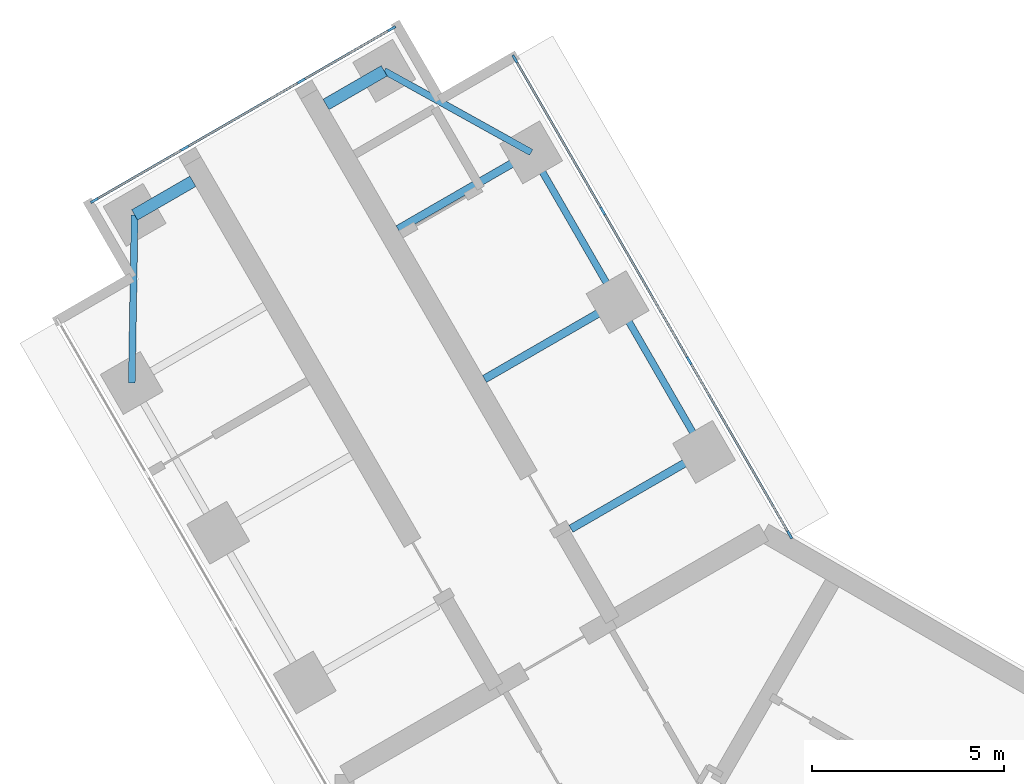
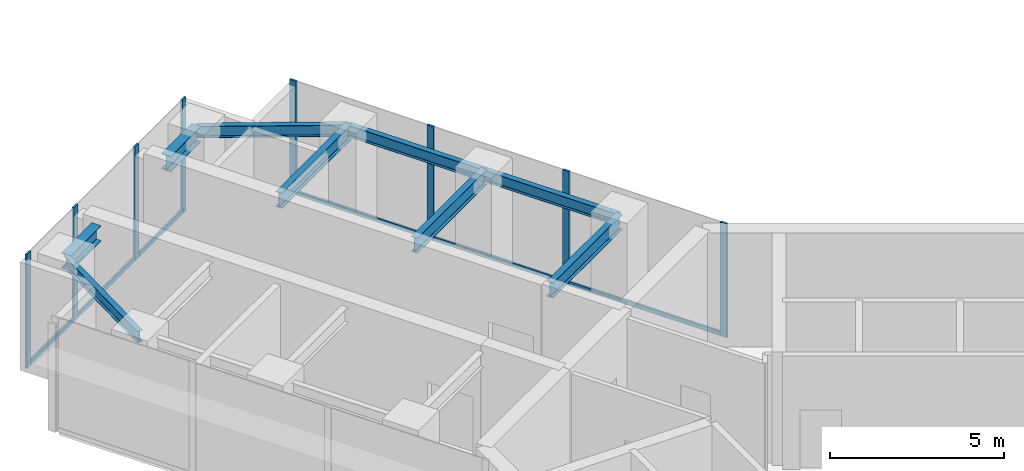
# One storey, part 6 of 17: 14 members, 9 beams, 2 elements without a shape of their own.
"""IFC4 building model written with IfcOpenShell, lengths in metres."""

import ifcopenshell
import ifcopenshell.guid

model = None  # the IFC model being written
_history = None  # IfcOwnerHistory: only IFC2X3 demands one
_inside = {}  # id of a spatial element -> (the spatial element, [elements in it])
_under = {}  # id of a project, library or spatial element -> (it, [spatial elements below it])
_declared = {}  # id of a project -> (the project, [libraries it declares])
_typed = {}  # id of a type object -> (the type object, [elements of that type])
_made_of = {}  # id of a material, layer set ... -> (it, [elements and type objects made of it])


def new_model(schema):
    """Start an empty IFC model of exactly this schema.

    Asked for "IFC4X3", IfcOpenShell would pick the latest addendum, in which some entities
    have other attributes; the version numbers below select the first issue.
    IFC2X3 requires an IfcOwnerHistory on every rooted entity: one is made here for all.
    """
    global model, _history
    if schema == "IFC4X3":
        model = ifcopenshell.file(schema_version=(4, 3, 0, 0))
    else:
        model = ifcopenshell.file(schema=schema)
    _inside.clear()
    _under.clear()
    _declared.clear()
    _typed.clear()
    _made_of.clear()
    _history = None
    if model.schema == "IFC2X3":
        org = make("IfcOrganization", Name="unknown")
        user = make(
            "IfcPersonAndOrganization",
            ThePerson=make("IfcPerson", FamilyName="unknown"),
            TheOrganization=org,
        )
        app = make(
            "IfcApplication",
            ApplicationDeveloper=org,
            Version="unknown",
            ApplicationFullName="unknown",
            ApplicationIdentifier="unknown",
        )
        _history = make(
            "IfcOwnerHistory",
            OwningUser=user,
            OwningApplication=app,
            ChangeAction="ADDED",
            CreationDate=0,
        )
    return model


def make(cls, **values):
    """One entity of the class cls with the attributes given. An attribute that is None is left unset."""
    return model.create_entity(
        cls, **{name: value for name, value in values.items() if value is not None}
    )


def rooted(cls, **values):
    """An entity with a GlobalId (a new one), such as an element, a storey or a relation."""
    return make(cls, GlobalId=ifcopenshell.guid.new(), OwnerHistory=_history, **values)


def si_unit(unit_type, name, prefix=None):
    """IfcSIUnit, for example si_unit("LENGTHUNIT", "METRE", prefix="MILLI")."""
    return make("IfcSIUnit", UnitType=unit_type, Prefix=prefix, Name=name)


def assignment(units):
    """IfcUnitAssignment: the units of a project."""
    return None if units is None else make("IfcUnitAssignment", Units=units)


def point(xyz):
    """IfcCartesianPoint."""
    return None if xyz is None else make("IfcCartesianPoint", Coordinates=xyz)


def direction(xyz):
    """IfcDirection."""
    return None if xyz is None else make("IfcDirection", DirectionRatios=xyz)


def frame(location, z_axis=None, x_axis=None):
    """IfcAxis2Placement3D, a coordinate frame: its origin and axes. An axis left out is left unset."""
    return make(
        "IfcAxis2Placement3D",
        Location=point(location),
        Axis=direction(z_axis),
        RefDirection=direction(x_axis),
    )


def frame_2d(location, x_axis=None):
    """IfcAxis2Placement2D, a coordinate frame in the plane: its origin and x axis."""
    return make(
        "IfcAxis2Placement2D", Location=point(location), RefDirection=direction(x_axis)
    )


def origin():
    """The frame at (0, 0, 0) with its axes left unset."""
    return frame((0.0, 0.0, 0.0))


def origin_2d():
    """The frame at (0, 0) in the plane with its x axis left unset."""
    return frame_2d((0.0, 0.0))


def place(relative_to, where):
    """IfcLocalPlacement: puts the frame where relative to a parent placement (None: the world)."""
    return make(
        "IfcLocalPlacement", PlacementRelTo=relative_to, RelativePlacement=where
    )


def context(
    kind, dimensions, precision=None, world=None, true_north=None, identifier=None
):
    """IfcGeometricRepresentationContext, for example the 3D "Model" context."""
    return make(
        "IfcGeometricRepresentationContext",
        ContextIdentifier=identifier,
        ContextType=kind,
        CoordinateSpaceDimension=dimensions,
        Precision=precision,
        WorldCoordinateSystem=world,
        TrueNorth=true_north,
    )


def subcontext(parent, identifier, kind, view, scale=None):
    """IfcGeometricRepresentationSubContext, for example "Body" below "Model"."""
    return make(
        "IfcGeometricRepresentationSubContext",
        ContextIdentifier=identifier,
        ContextType=kind,
        ParentContext=parent,
        TargetScale=scale,
        TargetView=view,
    )


def project(units=None, contexts=None):
    """IfcProject with its units and contexts."""
    return rooted(
        "IfcProject",
        Name="project",
        RepresentationContexts=contexts,
        UnitsInContext=assignment(units),
    )


def spatial(cls, under=None, at=None, **own):
    """A site, building, storey or space (cls), placed at a placement, below another one or the project."""
    s = rooted(cls, ObjectPlacement=at, **own)
    if under is not None:
        _under.setdefault(under.id(), (under, []))[1].append(s)
    return s


def profile(cls, at=None, kind="AREA", **sizes):
    """A parametric profile (cls). Its sizes go by their IFC names, for example OverallWidth=200.0."""
    return make(cls, ProfileType=kind, Position=at, **sizes)


def rectangle(**sizes):
    """IfcRectangleProfileDef."""
    return profile("IfcRectangleProfileDef", **sizes)


def i_section(**sizes):
    """IfcIShapeProfileDef."""
    return profile("IfcIShapeProfileDef", **sizes)


def extrude(swept, where, along, depth):
    """IfcExtrudedAreaSolid: the profile swept, set in the frame where, extruded along a direction by depth."""
    return make(
        "IfcExtrudedAreaSolid",
        SweptArea=swept,
        Position=where,
        ExtrudedDirection=direction(along),
        Depth=depth,
    )


def shape(context_of_items, identifier, shape_type, items):
    """IfcShapeRepresentation: the items that make up one representation, for example the "Body"."""
    return make(
        "IfcShapeRepresentation",
        ContextOfItems=context_of_items,
        RepresentationIdentifier=identifier,
        RepresentationType=shape_type,
        Items=items,
    )


def material(Name=None, Category=None):
    """IfcMaterial."""
    return make("IfcMaterial", Name=Name, Category=Category)


def material_profile(
    of_material, cross_section, Name=None, Category=None, Priority=None
):
    """IfcMaterialProfile: a cross section and its material."""
    return make(
        "IfcMaterialProfile",
        Name=Name,
        Material=of_material,
        Profile=cross_section,
        Priority=Priority,
        Category=Category,
    )


def profile_set(profiles, Name=None, composite=None):
    """IfcMaterialProfileSet."""
    return make(
        "IfcMaterialProfileSet",
        Name=Name,
        MaterialProfiles=profiles,
        CompositeProfile=composite,
    )


def made_of(thing, what):
    """Note that an element or type object is made of a material, layer set ...; save() writes the relation."""
    if what is not None:
        _made_of.setdefault(what.id(), (what, []))[1].append(thing)
    return thing


def type_object(cls, material=None, **own):
    """A type object (cls), such as IfcWallType, which elements share."""
    return made_of(rooted(cls, **own), material)


def element(
    cls,
    number,
    at=None,
    inside=None,
    cuts=None,
    type_object=None,
    material=None,
    context=None,
    identifier="Body",
    shape_type=None,
    held_by="IfcProductDefinitionShape",
    body=None,
    shapes=None,
    **own,
):
    """One element of the class cls, such as IfcWall. Its Tag is "e" and its number.

    at: its placement. inside: the storey or other place that contains it. cuts: it is an
    opening in that element (IfcRelVoidsElement). A single representation is given by context,
    identifier, shape_type and body (its items); several are given by shapes. held_by: the class
    of the entity that holds the representations. save() writes the other relations.
    """
    e = rooted(cls, Tag="e%d" % number, ObjectPlacement=at, **own)
    if body is not None:
        shapes = [shape(context, identifier, shape_type, body)]
    if shapes is not None:
        e.Representation = make(held_by, Representations=shapes)
    if inside is not None:
        _inside.setdefault(inside.id(), (inside, []))[1].append(e)
    if cuts is not None:
        rooted(
            "IfcRelVoidsElement", RelatingBuildingElement=cuts, RelatedOpeningElement=e
        )
    if type_object is not None:
        _typed.setdefault(type_object.id(), (type_object, []))[1].append(e)
    return made_of(e, material)


def aggregate(whole, parts):
    """IfcRelAggregates: a whole, such as a stair, and the parts it consists of."""
    return rooted("IfcRelAggregates", RelatingObject=whole, RelatedObjects=parts)


def save(model, path):
    """Write the relations noted so far, then the file.

    IfcRelAggregates (storeys below a building ...), IfcRelContainedInSpatialStructure (elements
    in a storey), IfcRelDefinesByType, IfcRelAssociatesMaterial and IfcRelDeclares: one each for
    every whole, place, type object, material and project.
    """
    for whole, parts in _under.values():
        aggregate(whole, parts)
    for where, things in _inside.values():
        rooted(
            "IfcRelContainedInSpatialStructure",
            RelatedElements=things,
            RelatingStructure=where,
        )
    for kind, things in _typed.values():
        rooted("IfcRelDefinesByType", RelatedObjects=things, RelatingType=kind)
    for what, things in _made_of.values():
        rooted("IfcRelAssociatesMaterial", RelatedObjects=things, RelatingMaterial=what)
    for by, libraries in _declared.values():
        rooted("IfcRelDeclares", RelatingContext=by, RelatedDefinitions=libraries)
    model.write(path)


model = new_model("IFC4")

# Units and contexts
model_context = context("Model", 3, precision=1e-05, world=origin(), true_north=direction((0.0, 1.0)))
body_context = subcontext(model_context, "Body", "Model", "MODEL_VIEW")
ifc_project = project(units=[si_unit("LENGTHUNIT", "METRE"), si_unit("AREAUNIT", "SQUARE_METRE"), si_unit("VOLUMEUNIT", "CUBIC_METRE"), si_unit("PLANEANGLEUNIT", "RADIAN"), si_unit("MASSUNIT", "GRAM", prefix="KILO")], contexts=[model_context])

# Site, building, storey
site_placement = place(None, origin())
site = spatial("IfcSite", under=ifc_project, at=site_placement, CompositionType="ELEMENT")
building_placement = place(site_placement, origin())
building = spatial("IfcBuilding", under=site, at=building_placement, Name="Upepo Twin Towers", CompositionType="ELEMENT")
storey_placement = place(building_placement, frame((0.0, 0.0, 182.5)))
storey = spatial("IfcBuildingStorey", under=building, at=storey_placement, Name="L44", CompositionType="ELEMENT", Elevation=182.5)

# Beams
ifc_material_1 = material(Name="Steel S355", Category="steel")
ifc_material_profile_1 = material_profile(ifc_material_1, i_section(OverallWidth=0.177978515625, OverallDepth=0.406494140625, WebThickness=0.0078125, FlangeThickness=0.0126953125, FilletRadius=0.01025390625, at=origin_2d()), Name="UB 406x178x60")
ifc_profile_set_1 = profile_set([ifc_material_profile_1], Name="Steel S355")
beam_type_1 = type_object("IfcBeamType", Name="Beam UB 406x178x60", PredefinedType="BEAM", material=ifc_profile_set_1)
beam_1_placement = place(storey_placement, frame((-16.446044921875, 16.485595703125, 3.5966796875), z_axis=(0.016803880528, 0.999858804832, 0.0), x_axis=(-0.999858804832, 0.016803880528, 0.0)))
element("IfcBeam", 1, at=beam_1_placement, inside=storey, type_object=beam_type_1, Name="T1 nose edge beam BL", PredefinedType="BEAM", context=body_context, shape_type="SweptSolid", body=[
    extrude(i_section(OverallWidth=0.177978515625, OverallDepth=0.406494140625, WebThickness=0.0078125, FlangeThickness=0.0126953125, FilletRadius=0.01025390625, at=origin_2d()), origin(), (0.0, 0.0, 1.0), 4.373291015625),
])
beam_2_placement = place(storey_placement, frame((-1.553955078125, 14.69140625, 3.5966796875), z_axis=(-0.500013631625, 0.866017533419, 0.0), x_axis=(-0.866017533419, -0.500013631625, 0.0)))
element("IfcBeam", 2, at=beam_2_placement, inside=storey, type_object=beam_type_1, Name="T1 edge beam BR 13.5-18.0", PredefinedType="BEAM", context=body_context, shape_type="SweptSolid", body=[
    extrude(i_section(OverallWidth=0.177978515625, OverallDepth=0.406494140625, WebThickness=0.0078125, FlangeThickness=0.0126953125, FilletRadius=0.01025390625, at=origin_2d()), origin(), (0.0, 0.0, 1.0), 4.499755859375),
])
beam_3_placement = place(storey_placement, frame((-3.803955078125, 18.58837890625, 3.5966796875), z_axis=(-0.499990139034, 0.866031096941, 0.0), x_axis=(-0.866031096941, -0.499990139034, 0.0)))
element("IfcBeam", 3, at=beam_3_placement, inside=storey, type_object=beam_type_1, Name="T1 edge beam BR 18.0-22.5", PredefinedType="BEAM", context=body_context, shape_type="SweptSolid", body=[
    extrude(i_section(OverallWidth=0.177978515625, OverallDepth=0.406494140625, WebThickness=0.0078125, FlangeThickness=0.0126953125, FilletRadius=0.01025390625, at=origin_2d()), origin(), (0.0, 0.0, 1.0), 4.5),
])
beam_4_placement = place(storey_placement, frame((-6.053955078125, 22.485595703125, 3.5966796875), z_axis=(-0.874312600038, 0.485363242752, 0.0), x_axis=(-0.485363242752, -0.874312600038, 0.0)))
element("IfcBeam", 4, at=beam_4_placement, inside=storey, type_object=beam_type_1, Name="T1 nose edge beam BR", PredefinedType="BEAM", context=body_context, shape_type="SweptSolid", body=[
    extrude(i_section(OverallWidth=0.177978515625, OverallDepth=0.406494140625, WebThickness=0.0078125, FlangeThickness=0.0126953125, FilletRadius=0.01025390625, at=origin_2d()), origin(), (0.0, 0.0, 1.0), 4.373046875),
])
ifc_material_2 = material(Name="Steel S355", Category="steel")
ifc_material_profile_2 = material_profile(ifc_material_2, i_section(OverallWidth=0.209228515625, OverallDepth=0.533203125, WebThickness=0.010009765625, FlangeThickness=0.015625, FilletRadius=0.0126953125, at=origin_2d()), Name="UB 533x210x92")
ifc_profile_set_2 = profile_set([ifc_material_profile_2], Name="Steel S355")
beam_type_2 = type_object("IfcBeamType", Name="Beam UB 533x210x92", PredefinedType="BEAM", material=ifc_profile_set_2)
for number, where, z_axis, x_axis, name in (
    (5, (-1.553955078125, 14.69140625, 3.533447265625), (-0.866026010844, -0.49999894854, 0.0), (0.49999894854, -0.866026010844, 0.0), "T1 girder BR at 13.5"),
    (6, (-3.803955078125, 18.58837890625, 3.533447265625), (-0.866026010844, -0.49999894854, 0.0), (0.49999894854, -0.866026010844, 0.0), "T1 girder BR at 18.0"),
    (7, (-6.053955078125, 22.485595703125, 3.533447265625), (-0.866026010844, -0.49999894854, 0.0), (0.49999894854, -0.866026010844, 0.0), "T1 girder BR at 22.5"),
):
    element("IfcBeam", number, at=place(storey_placement, frame(where, z_axis=z_axis, x_axis=x_axis)), inside=storey, type_object=beam_type_2, Name=name, PredefinedType="BEAM", context=body_context, shape_type="SweptSolid", body=[
        extrude(i_section(OverallWidth=0.209228515625, OverallDepth=0.533203125, WebThickness=0.010009765625, FlangeThickness=0.015625, FilletRadius=0.0126953125, at=origin_2d()), origin(), (0.0, 0.0, 1.0), 4.0),
    ])
ifc_material_3 = material(Name="Steel S355", Category="steel")
ifc_material_profile_3 = material_profile(ifc_material_3, i_section(OverallWidth=0.31201171875, OverallDepth=0.54345703125, WebThickness=0.0126953125, FlangeThickness=0.020263671875, FilletRadius=0.0126953125, at=origin_2d()), Name="UB 533x312x150")
ifc_profile_set_3 = profile_set([ifc_material_profile_3], Name="Steel S355")
beam_type_3 = type_object("IfcBeamType", Name="Beam UB 533x312x150", PredefinedType="BEAM", material=ifc_profile_set_3)
for number, where, z_axis, x_axis, name in (
    (8, (-16.37255859375, 20.858154296875, 3.5283203125), (0.866036909293, 0.499980071345, 0.0), (-0.499980071345, 0.866036909293, 0.0), "T1 nose beam BL"),
    (9, (-9.87744140625, 24.608154296875, 3.5283203125), (-0.866036909293, -0.499980071345, 0.0), (0.499980071345, -0.866036909293, 0.0), "T1 nose beam BR"),
):
    element("IfcBeam", number, at=place(storey_placement, frame(where, z_axis=z_axis, x_axis=x_axis)), inside=storey, type_object=beam_type_3, Name=name, PredefinedType="BEAM", context=body_context, shape_type="SweptSolid", body=[
        extrude(i_section(OverallWidth=0.31201171875, OverallDepth=0.54345703125, WebThickness=0.0126953125, FlangeThickness=0.020263671875, FilletRadius=0.0126953125, at=origin_2d()), origin(), (0.0, 0.0, 1.0), 1.75),
    ])

# Curtain wall, members
ifc_material_4 = material(Name="Aluminium and fritted glass", Category="aluminium")
curtain_wall_type = type_object("IfcCurtainWallType", Name="Tower curtain wall TW3, fritted glass", PredefinedType="NOTDEFINED", material=ifc_material_4)
curtain_wall_1_placement = place(storey_placement, origin())
curtain_wall_1 = element("IfcCurtainWall", 10, at=curtain_wall_1_placement, inside=storey, type_object=curtain_wall_type, Name="T1 L44 wing B flank R curtain wall", PredefinedType="NOTDEFINED")
ifc_material_5 = material(Name="Aluminium mullion", Category="aluminium")
ifc_material_profile_4 = material_profile(ifc_material_5, rectangle(XDim=0.06494140625, YDim=0.22509765625, at=origin_2d()), Name="MULLION 65x225")
ifc_profile_set_4 = profile_set([ifc_material_profile_4], Name="Aluminium mullion")
member_type_1 = type_object("IfcMemberType", Name="Mullion 65x225 TW3", PredefinedType="MULLION", material=ifc_profile_set_4)
member_1_placement = place(storey_placement, frame((-6.4765625, 24.91748046875, 0.0), z_axis=(0.0, 0.0, 1.0), x_axis=(0.866025388469, 0.500000026527, 0.0)))
member_1 = element("IfcMember", 11, at=member_1_placement, type_object=member_type_1, Name="T1 L44 wing B flank R curtain wall mullion 1", PredefinedType="MULLION", context=body_context, shape_type="SweptSolid", body=[
    extrude(rectangle(XDim=0.06494140625, YDim=0.22509765625, at=origin_2d()), origin(), (0.0, 0.0, 1.0), 4.0),
])
member_2_placement = place(storey_placement, frame((-4.192626953125, 20.9619140625, 0.0), z_axis=(0.0, 0.0, 1.0), x_axis=(0.866025388469, 0.500000026527, 0.0)))
member_2 = element("IfcMember", 12, at=member_2_placement, type_object=member_type_1, Name="T1 L44 wing B flank R curtain wall mullion 2", PredefinedType="MULLION", context=body_context, shape_type="SweptSolid", body=[
    extrude(rectangle(XDim=0.06494140625, YDim=0.22509765625, at=origin_2d()), origin(), (0.0, 0.0, 1.0), 4.0),
])
member_3_placement = place(storey_placement, frame((-1.942626953125, 17.06494140625, 0.0), z_axis=(0.0, 0.0, 1.0), x_axis=(0.866025388469, 0.500000026527, 0.0)))
member_3 = element("IfcMember", 13, at=member_3_placement, type_object=member_type_1, Name="T1 L44 wing B flank R curtain wall mullion 3", PredefinedType="MULLION", context=body_context, shape_type="SweptSolid", body=[
    extrude(rectangle(XDim=0.06494140625, YDim=0.22509765625, at=origin_2d()), origin(), (0.0, 0.0, 1.0), 4.0),
])
member_4_placement = place(storey_placement, frame((0.67236328125, 12.53515625, 0.0), z_axis=(0.0, 0.0, 1.0), x_axis=(0.866025388469, 0.500000026527, 0.0)))
member_4 = element("IfcMember", 14, at=member_4_placement, type_object=member_type_1, Name="T1 L44 wing B flank R curtain wall mullion 4", PredefinedType="MULLION", context=body_context, shape_type="SweptSolid", body=[
    extrude(rectangle(XDim=0.06494140625, YDim=0.22509765625, at=origin_2d()), origin(), (0.0, 0.0, 1.0), 4.0),
])

curtain_wall_2_placement = place(storey_placement, origin())
curtain_wall_2 = element("IfcCurtainWall", 15, at=curtain_wall_2_placement, inside=storey, type_object=curtain_wall_type, Name="T1 L44 wing B nose curtain wall", PredefinedType="NOTDEFINED")
member_5_placement = place(storey_placement, frame((-9.68115234375, 25.703125, 0.0), z_axis=(0.0, 0.0, 1.0), x_axis=(0.500000030502, -0.866025386174, 0.0)))
member_5 = element("IfcMember", 16, at=member_5_placement, type_object=member_type_1, Name="T1 L44 wing B nose curtain wall mullion 1", PredefinedType="MULLION", context=body_context, shape_type="SweptSolid", body=[
    extrude(rectangle(XDim=0.06494140625, YDim=0.22509765625, at=origin_2d()), origin(), (0.0, 0.0, 1.0), 4.0),
])
member_6_placement = place(storey_placement, frame((-12.034423828125, 24.34423828125, 0.0), z_axis=(0.0, 0.0, 1.0), x_axis=(0.500000030502, -0.866025386174, 0.0)))
member_6 = element("IfcMember", 17, at=member_6_placement, type_object=member_type_1, Name="T1 L44 wing B nose curtain wall mullion 2", PredefinedType="MULLION", context=body_context, shape_type="SweptSolid", body=[
    extrude(rectangle(XDim=0.06494140625, YDim=0.22509765625, at=origin_2d()), origin(), (0.0, 0.0, 1.0), 4.0),
])
member_7_placement = place(storey_placement, frame((-15.0654296875, 22.59423828125, 0.0), z_axis=(0.0, 0.0, 1.0), x_axis=(0.500000030502, -0.866025386174, 0.0)))
member_7 = element("IfcMember", 18, at=member_7_placement, type_object=member_type_1, Name="T1 L44 wing B nose curtain wall mullion 3", PredefinedType="MULLION", context=body_context, shape_type="SweptSolid", body=[
    extrude(rectangle(XDim=0.06494140625, YDim=0.22509765625, at=origin_2d()), origin(), (0.0, 0.0, 1.0), 4.0),
])
member_8_placement = place(storey_placement, frame((-17.4189453125, 21.235595703125, 0.0), z_axis=(0.0, 0.0, 1.0), x_axis=(0.500000030502, -0.866025386174, 0.0)))
member_8 = element("IfcMember", 19, at=member_8_placement, type_object=member_type_1, Name="T1 L44 wing B nose curtain wall mullion 4", PredefinedType="MULLION", context=body_context, shape_type="SweptSolid", body=[
    extrude(rectangle(XDim=0.06494140625, YDim=0.22509765625, at=origin_2d()), origin(), (0.0, 0.0, 1.0), 4.0),
])

# Member
ifc_material_6 = material(Name="Aluminium transom", Category="aluminium")
ifc_material_profile_5 = material_profile(ifc_material_6, rectangle(XDim=0.06494140625, YDim=0.14990234375, at=origin_2d()), Name="TRANSOM 65x150")
ifc_profile_set_5 = profile_set([ifc_material_profile_5], Name="Aluminium transom")
member_type_2 = type_object("IfcMemberType", Name="Transom 65x150 TW3", PredefinedType="USERDEFINED", material=ifc_profile_set_5)
member_9_placement = place(storey_placement, frame((-6.460205078125, 24.889404296875, 0.074951171875), z_axis=(0.500005646842, -0.866022143554, 0.0), x_axis=(0.866022143554, 0.500005646842, 0.0)))
member_9 = element("IfcMember", 20, at=member_9_placement, type_object=member_type_2, Name="T1 L44 wing B flank R curtain wall transom 1", ObjectType="TRANSOM", PredefinedType="USERDEFINED", context=body_context, shape_type="SweptSolid", body=[
    extrude(rectangle(XDim=0.06494140625, YDim=0.14990234375, at=origin_2d()), origin(), (0.0, 0.0, 1.0), 4.50244140625),
])

member_10_placement = place(storey_placement, frame((-4.176513671875, 20.933837890625, 0.074951171875), z_axis=(0.500005184116, -0.866022410713, 0.0), x_axis=(0.866022410713, 0.500005184116, 0.0)))
member_10 = element("IfcMember", 21, at=member_10_placement, type_object=member_type_2, Name="T1 L44 wing B flank R curtain wall transom 2", ObjectType="TRANSOM", PredefinedType="USERDEFINED", context=body_context, shape_type="SweptSolid", body=[
    extrude(rectangle(XDim=0.06494140625, YDim=0.14990234375, at=origin_2d()), origin(), (0.0, 0.0, 1.0), 4.43505859375),
])

member_11_placement = place(storey_placement, frame((-1.926513671875, 17.036865234375, 0.074951171875), z_axis=(0.500007480159, -0.86602108507, 0.0), x_axis=(0.86602108507, 0.500007480159, 0.0)))
member_11 = element("IfcMember", 22, at=member_11_placement, type_object=member_type_2, Name="T1 L44 wing B flank R curtain wall transom 3", ObjectType="TRANSOM", PredefinedType="USERDEFINED", context=body_context, shape_type="SweptSolid", body=[
    extrude(rectangle(XDim=0.06494140625, YDim=0.14990234375, at=origin_2d()), origin(), (0.0, 0.0, 1.0), 5.16552734375),
])

aggregate(curtain_wall_1, [member_1, member_2, member_3, member_4, member_9, member_10, member_11])

member_12_placement = place(storey_placement, frame((-9.709228515625, 25.686767578125, 0.074951171875), z_axis=(-0.866036909293, -0.499980071345, 0.0), x_axis=(0.499980071345, -0.866036909293, 0.0)))
member_12 = element("IfcMember", 23, at=member_12_placement, type_object=member_type_2, Name="T1 L44 wing B nose curtain wall transom 1", ObjectType="TRANSOM", PredefinedType="USERDEFINED", context=body_context, shape_type="SweptSolid", body=[
    extrude(rectangle(XDim=0.06494140625, YDim=0.14990234375, at=origin_2d()), origin(), (0.0, 0.0, 1.0), 2.65234375),
])

member_13_placement = place(storey_placement, frame((-12.0625, 24.328125, 0.074951171875), z_axis=(-0.866025804792, -0.499999305434, 0.0), x_axis=(0.499999305434, -0.866025804792, 0.0)))
member_13 = element("IfcMember", 24, at=member_13_placement, type_object=member_type_2, Name="T1 L44 wing B nose curtain wall transom 2", ObjectType="TRANSOM", PredefinedType="USERDEFINED", context=body_context, shape_type="SweptSolid", body=[
    extrude(rectangle(XDim=0.06494140625, YDim=0.14990234375, at=origin_2d()), origin(), (0.0, 0.0, 1.0), 3.43505859375),
])

member_14_placement = place(storey_placement, frame((-15.09375, 22.578125, 0.074951171875), z_axis=(-0.865997053448, -0.500049101008, 0.0), x_axis=(0.500049101008, -0.865997053448, 0.0)))
member_14 = element("IfcMember", 25, at=member_14_placement, type_object=member_type_2, Name="T1 L44 wing B nose curtain wall transom 3", ObjectType="TRANSOM", PredefinedType="USERDEFINED", context=body_context, shape_type="SweptSolid", body=[
    extrude(rectangle(XDim=0.06494140625, YDim=0.14990234375, at=origin_2d()), origin(), (0.0, 0.0, 1.0), 2.652587890625),
])

aggregate(curtain_wall_2, [member_5, member_6, member_7, member_8, member_12, member_13, member_14])

save(model, "model.ifc")
